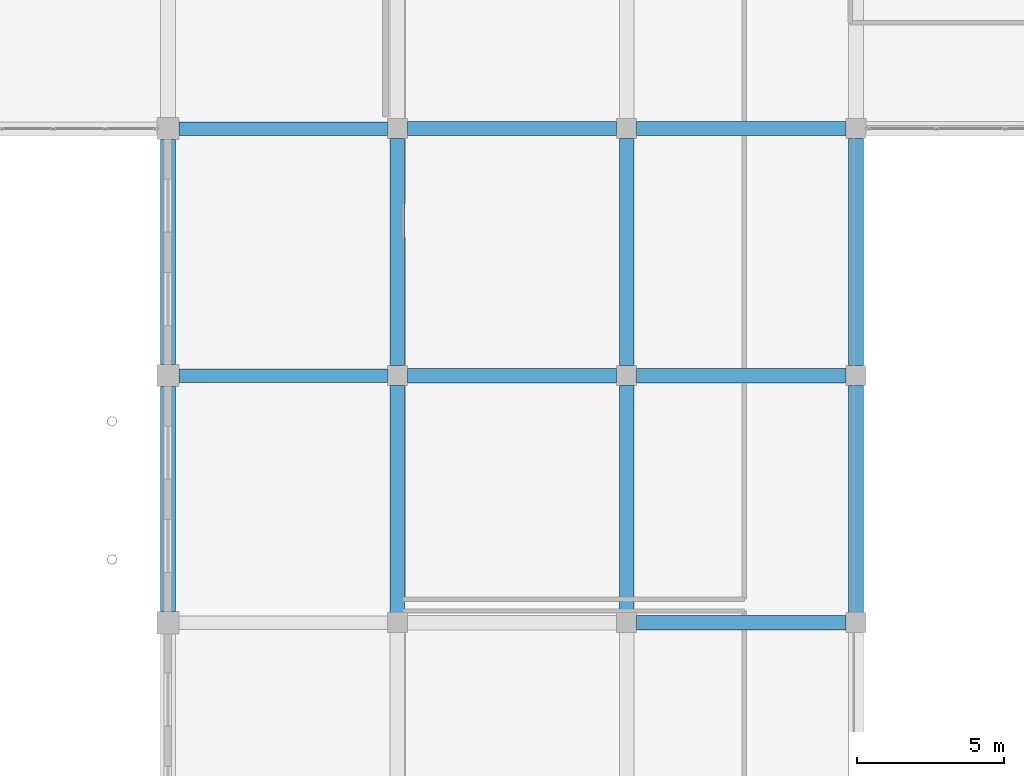
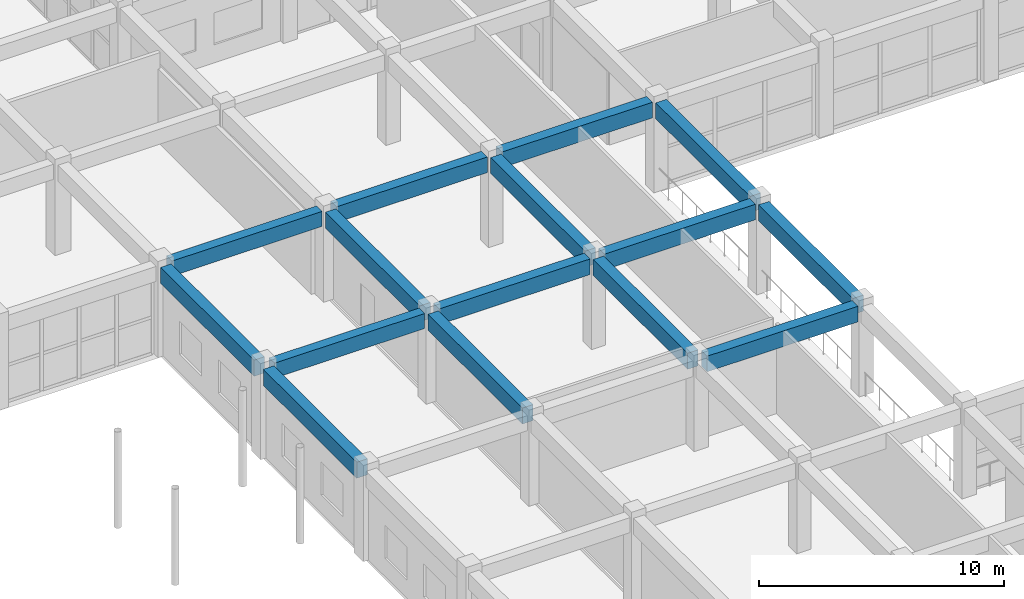
# One storey, part 101 of 175: 15 beams.
"""IFC4 building model written with IfcOpenShell, lengths in metres."""

from ifc_helpers import new_model, si_unit, direction, frame, origin, origin_2d, place, context, subcontext, project, spatial, rectangle, extrude, material, material_profile, profile_set, type_object, element, save


model = new_model("IFC4")

# Units and contexts
model_context = context("Model", 3, precision=1e-05, world=origin(), true_north=direction((0.0, 1.0)))
body_context = subcontext(model_context, "Body", "Model", "MODEL_VIEW")
ifc_project = project(units=[si_unit("LENGTHUNIT", "METRE"), si_unit("AREAUNIT", "SQUARE_METRE"), si_unit("VOLUMEUNIT", "CUBIC_METRE"), si_unit("PLANEANGLEUNIT", "RADIAN"), si_unit("MASSUNIT", "GRAM", prefix="KILO")], contexts=[model_context])

# Site, building, storey
site_placement = place(None, origin())
site = spatial("IfcSite", under=ifc_project, at=site_placement, CompositionType="ELEMENT")
building_placement = place(site_placement, origin())
building = spatial("IfcBuilding", under=site, at=building_placement, Name="Zizhar Promenade General Hospital", CompositionType="ELEMENT")
storey_placement = place(building_placement, frame((0.0, 0.0, 4.800048828125)))
storey = spatial("IfcBuildingStorey", under=building, at=storey_placement, Name="L01", CompositionType="ELEMENT", Elevation=4.800048828125)

# Beams
ifc_material_1 = material(Name="Concrete C35/45", Category="concrete")
ifc_material_profile_1 = material_profile(ifc_material_1, rectangle(XDim=0.449951171875, YDim=0.75, at=origin_2d()))
ifc_profile_set_1 = profile_set([ifc_material_profile_1], Name="Concrete C35/45")
beam_type_1 = type_object("IfcBeamType", Name="BM-RC-450x750", PredefinedType="BEAM", material=ifc_profile_set_1)
for number, where, z_axis, x_axis, name in (
    (1, (125.175048828125, 84.0, 4.094970703125), (1.0, 0.0, 0.0), (0.0, 1.0, 0.0), "Grid Beam X L01 (16-10)"),
    (2, (125.175048828125, 92.39990234375, 4.094970703125), (1.0, 0.0, 0.0), (0.0, 1.0, 0.0), "Grid Beam X L01 (16-11)"),
):
    element("IfcBeam", number, at=place(storey_placement, frame(where, z_axis=z_axis, x_axis=x_axis)), inside=storey, type_object=beam_type_1, Name=name, PredefinedType="BEAM", context=body_context, shape_type="SweptSolid", body=[
        extrude(rectangle(XDim=0.449951171875, YDim=0.75, at=origin_2d()), origin(), (0.0, 0.0, 1.0), 7.0849609375),
    ])
ifc_material_2 = material(Name="Concrete C35/45", Category="concrete")
ifc_material_profile_2 = material_profile(ifc_material_2, rectangle(XDim=0.47998046875, YDim=0.780029296875, at=origin_2d()))
ifc_profile_set_2 = profile_set([ifc_material_profile_2], Name="Concrete C35/45")
beam_type_2 = type_object("IfcBeamType", Name="BM-RC-480x780", PredefinedType="BEAM", material=ifc_profile_set_2)
for number, where, z_axis, x_axis, name in (
    (3, (132.93994140625, 84.0, 4.079833984375), (1.0, 0.0, 0.0), (0.0, 1.0, 0.0), "Grid Beam X L01 (17-10)"),
    (4, (132.93994140625, 92.39990234375, 4.079833984375), (1.0, 0.0, 0.0), (0.0, 1.0, 0.0), "Grid Beam X L01 (17-11)"),
    (5, (140.739990234375, 75.60009765625, 4.079833984375), (1.0, 0.0, 0.0), (0.0, 1.0, 0.0), "Grid Beam X L01 (18-9)"),
    (6, (140.739990234375, 84.0, 4.079833984375), (1.0, 0.0, 0.0), (0.0, 1.0, 0.0), "Grid Beam X L01 (18-10)"),
    (7, (140.739990234375, 92.39990234375, 4.079833984375), (1.0, 0.0, 0.0), (0.0, 1.0, 0.0), "Grid Beam X L01 (18-11)"),
):
    element("IfcBeam", number, at=place(storey_placement, frame(where, z_axis=z_axis, x_axis=x_axis)), inside=storey, type_object=beam_type_2, Name=name, PredefinedType="BEAM", context=body_context, shape_type="SweptSolid", body=[
        extrude(rectangle(XDim=0.47998046875, YDim=0.780029296875, at=origin_2d()), origin(), (0.0, 0.0, 1.0), 7.1201171875),
    ])
ifc_material_3 = material(Name="Concrete C35/45", Category="concrete")
ifc_material_profile_3 = material_profile(ifc_material_3, rectangle(XDim=0.5, YDim=0.800048828125, at=origin_2d()))
ifc_profile_set_3 = profile_set([ifc_material_profile_3], Name="Concrete C35/45")
beam_type_3 = type_object("IfcBeamType", Name="BM-RC-500x800", PredefinedType="BEAM", material=ifc_profile_set_3)
for number, where, z_axis, x_axis, name in (
    (8, (124.800048828125, 75.97509765625, 4.070068359375), (0.0, 1.0, 0.0), (-1.0, 0.0, 0.0), "Grid Beam Y L01 (16-9)"),
    (9, (124.800048828125, 84.375, 4.070068359375), (0.0, 1.0, 0.0), (-1.0, 0.0, 0.0), "Grid Beam Y L01 (16-10)"),
):
    element("IfcBeam", number, at=place(storey_placement, frame(where, z_axis=z_axis, x_axis=x_axis)), inside=storey, type_object=beam_type_3, Name=name, PredefinedType="BEAM", context=body_context, shape_type="SweptSolid", body=[
        extrude(rectangle(XDim=0.5, YDim=0.800048828125, at=origin_2d()), origin(), (0.0, 0.0, 1.0), 7.64990234375),
    ])
for number, where, z_axis, x_axis, name in (
    (10, (132.60009765625, 75.93994140625, 4.070068359375), (0.0, 1.0, 0.0), (-1.0, 0.0, 0.0), "Grid Beam Y L01 (17-9)"),
    (11, (132.60009765625, 84.340087890625, 4.070068359375), (0.0, 1.0, 0.0), (-1.0, 0.0, 0.0), "Grid Beam Y L01 (17-10)"),
    (12, (140.39990234375, 75.93994140625, 4.070068359375), (0.0, 1.0, 0.0), (-1.0, 0.0, 0.0), "Grid Beam Y L01 (18-9)"),
    (13, (140.39990234375, 84.340087890625, 4.070068359375), (0.0, 1.0, 0.0), (-1.0, 0.0, 0.0), "Grid Beam Y L01 (18-10)"),
    (14, (148.199951171875, 75.93994140625, 4.070068359375), (0.0, 1.0, 0.0), (-1.0, 0.0, 0.0), "Grid Beam Y L01 (19-9)"),
    (15, (148.199951171875, 84.340087890625, 4.070068359375), (0.0, 1.0, 0.0), (-1.0, 0.0, 0.0), "Grid Beam Y L01 (19-10)"),
):
    element("IfcBeam", number, at=place(storey_placement, frame(where, z_axis=z_axis, x_axis=x_axis)), inside=storey, type_object=beam_type_3, Name=name, PredefinedType="BEAM", context=body_context, shape_type="SweptSolid", body=[
        extrude(rectangle(XDim=0.5, YDim=0.800048828125, at=origin_2d()), origin(), (0.0, 0.0, 1.0), 7.719970703125),
    ])

save(model, "model.ifc")
